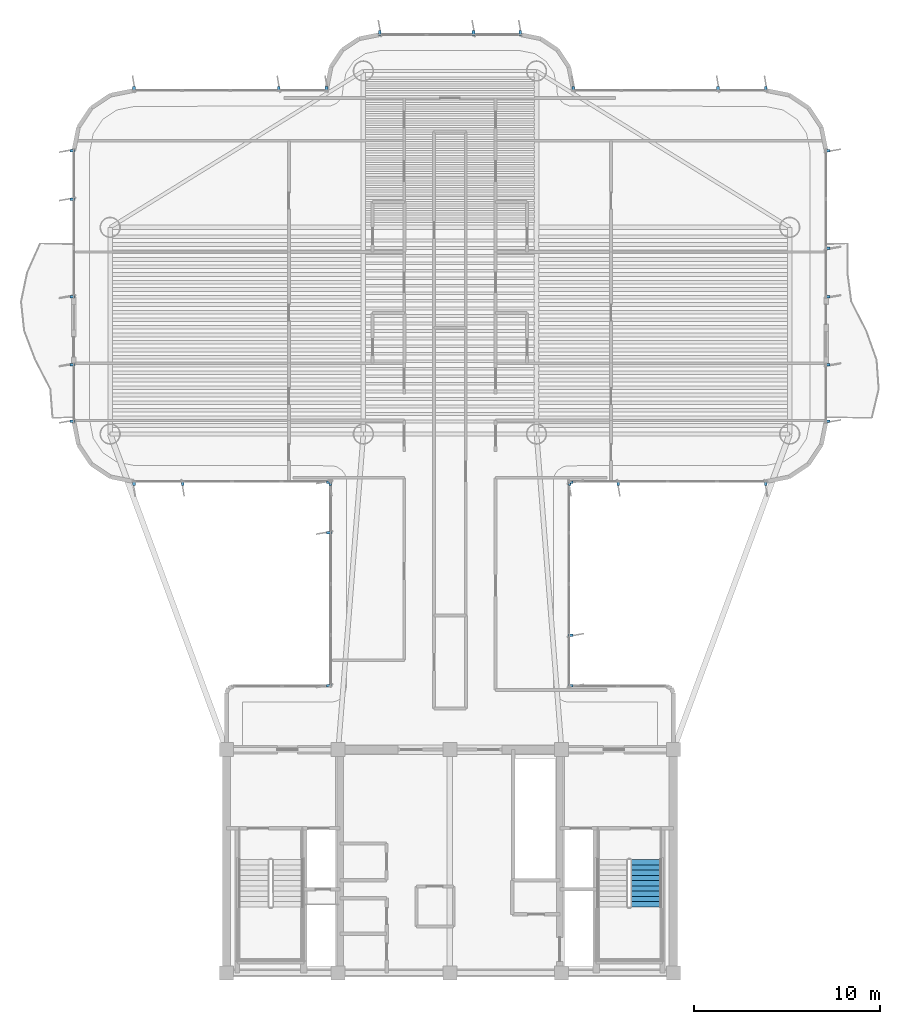
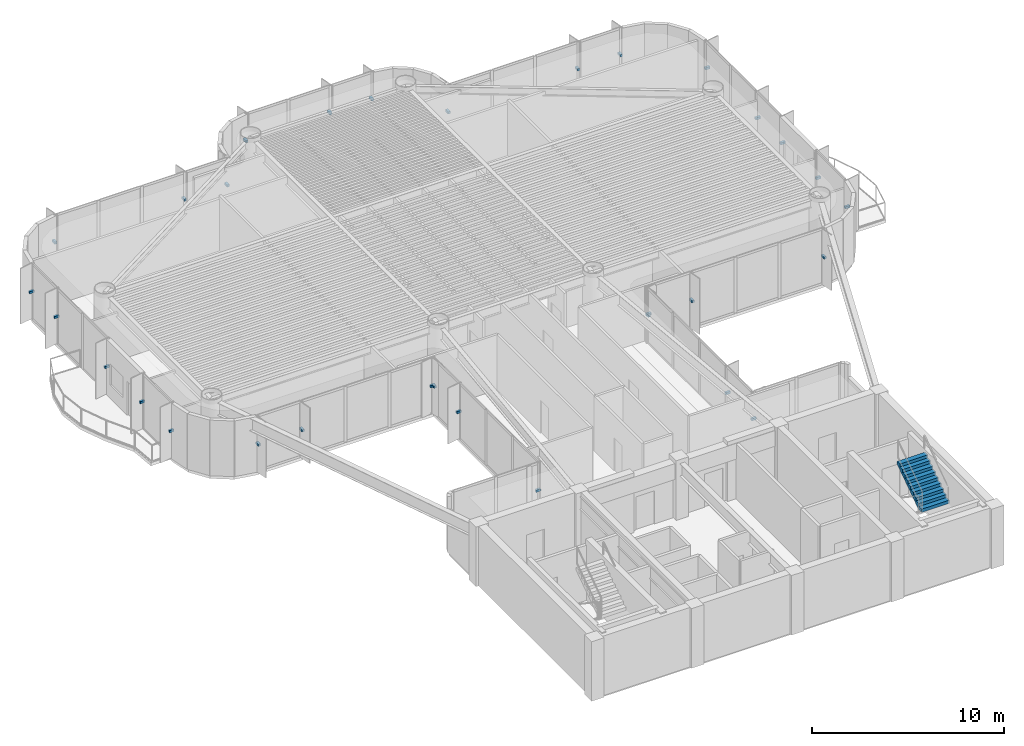
# One storey, part 13 of 15: 31 discrete accessories, 1 stair flight, 1 element without a shape of its own.
"""IFC4 building model written with IfcOpenShell, lengths in metres."""

from ifc_helpers import new_model, si_unit, direction, frame, origin, origin_2d, place, context, subcontext, project, spatial, polyline, rectangle, outline, extrude, source, transform, mapped, material, type_object, element, aggregate, save


model = new_model("IFC4")

# Units and contexts
model_context = context("Model", 3, precision=1e-05, world=origin(), true_north=direction((0.0, 1.0)))
body_context = subcontext(model_context, "Body", "Model", "MODEL_VIEW")
ifc_project = project(units=[si_unit("LENGTHUNIT", "METRE"), si_unit("AREAUNIT", "SQUARE_METRE"), si_unit("VOLUMEUNIT", "CUBIC_METRE"), si_unit("PLANEANGLEUNIT", "RADIAN"), si_unit("MASSUNIT", "GRAM", prefix="KILO")], contexts=[model_context])

# Site, building, storey
site_placement = place(None, origin())
site = spatial("IfcSite", under=ifc_project, at=site_placement, CompositionType="ELEMENT")
building_placement = place(site_placement, origin())
building = spatial("IfcBuilding", under=site, at=building_placement, Name="Brelvock Crest Care Tower", CompositionType="ELEMENT")
storey_placement = place(building_placement, frame((0.0, 0.0, 171.5400390625)))
storey = spatial("IfcBuildingStorey", under=building, at=storey_placement, Name="L43", CompositionType="ELEMENT", Elevation=171.5400390625)

# Stair, stair flight
ifc_material_1 = material(Name="Concrete N40 (40 MPa)", Category="concrete")
stair_type = type_object("IfcStairType", Name="ST-CORE1", PredefinedType="HALF_TURN_STAIR", material=ifc_material_1)
stair_placement = place(storey_placement, origin())
stair = element("IfcStair", 1, at=stair_placement, inside=storey, type_object=stair_type, Name="L43 Fire-Isolated Core Stair ST-2", PredefinedType="HALF_TURN_STAIR")
stair_flight_type = type_object("IfcStairFlightType", Name="STF-1", PredefinedType="STRAIGHT", material=ifc_material_1)
stair_flight_placement = place(storey_placement, frame((46.530029296875, 9.56005859375, 1.889892578125), z_axis=(0.0, 0.0, 1.0), x_axis=(0.0, 1.0, 0.0)))
stair_flight = element("IfcStairFlight", 2, at=stair_flight_placement, type_object=stair_flight_type, Name="ST-2 flight 2", NumberOfRisers=10, NumberOfTreads=9, PredefinedType="STRAIGHT", RiserHeight=0.189, TreadLength=0.28, context=body_context, shape_type="SweptSolid", body=[
    extrude(outline(polyline([(-0.00390625, -0.014892578125), (-0.00390625, -0.0078125), (-0.00390625, -0.00048828125), (-0.00390625, 0.0068359375), (-0.00390625, 0.01416015625), (-0.00390625, 0.021484375), (-0.00390625, 0.02880859375), (-0.00390625, 0.035888671875), (-0.00390625, 0.043212890625), (-0.00390625, 0.050537109375), (-0.00390625, 0.057861328125), (-0.00390625, 0.065185546875), (-0.00390625, 0.072509765625), (-0.00390625, 0.07958984375), (-0.00390625, 0.0869140625), (-0.00390625, 0.09423828125), (-0.00390625, 0.1015625), (-0.00390625, 0.10888671875), (-0.00390625, 0.1162109375), (-0.00390625, 0.12353515625), (-0.00390625, 0.130615234375), (-0.00390625, 0.137939453125), (-0.00390625, 0.145263671875), (-0.00390625, 0.152587890625), (-0.00390625, 0.159912109375), (-0.00390625, 0.167236328125), (-0.00390625, 0.17431640625), (-0.00390625, 0.181640625), (-0.00390625, 0.18896484375), (0.0, 0.18896484375), (0.280029296875, 0.18896484375), (0.280029296875, 0.3779296875), (0.56005859375, 0.3779296875), (0.56005859375, 0.56689453125), (0.840087890625, 0.56689453125), (0.840087890625, 0.756103515625), (1.1201171875, 0.756103515625), (1.1201171875, 0.945068359375), (1.39990234375, 0.945068359375), (1.39990234375, 1.134033203125), (1.679931640625, 1.134033203125), (1.679931640625, 1.322998046875), (1.9599609375, 1.322998046875), (1.9599609375, 1.511962890625), (2.239990234375, 1.511962890625), (2.239990234375, 1.700927734375), (2.52001953125, 1.700927734375), (2.52392578125, 1.700927734375), (2.523681640625, 1.70068359375), (2.52392578125, 1.700439453125), (2.523681640625, 1.699951171875), (2.52392578125, 1.69970703125), (2.523681640625, 1.699462890625), (2.52392578125, 1.698974609375), (2.523681640625, 1.69873046875), (2.52392578125, 1.698486328125), (2.523681640625, 1.697998046875), (2.52392578125, 1.69775390625), (2.523681640625, 1.697509765625), (2.52392578125, 1.697021484375), (2.523681640625, 1.69677734375), (2.52392578125, 1.696533203125), (2.523681640625, 1.6962890625), (2.52392578125, 1.69580078125), (2.523681640625, 1.695556640625), (2.52392578125, 1.6953125), (2.523681640625, 1.69482421875), (2.52392578125, 1.694580078125), (2.523681640625, 1.6943359375), (2.52392578125, 1.69384765625), (2.523681640625, 1.693603515625), (2.52392578125, 1.693359375), (2.523681640625, 1.69287109375), (2.52392578125, 1.692626953125), (2.523681640625, 1.6923828125), (2.52392578125, 1.69189453125), (2.52001953125, 1.520263671875), (0.267822265625, 0.0), (0.0, 0.0), (0.0, -0.014892578125), (-0.00390625, -0.014892578125)])), frame((0.0, 0.83984375, 0.0), z_axis=(0.0, -1.0, 0.0), x_axis=(1.0, 0.0, 0.0)), (0.0, 0.0, 1.0), 1.679931640625),
])
aggregate(stair, [stair_flight])

# Discrete accessories
ifc_material_2 = material(Name="Steel Grade 350", Category="steel")
discrete_accessory_type = type_object("IfcDiscreteAccessoryType", Name="ACC-BRK1", PredefinedType="BRACKET", material=ifc_material_2)
shared_shape = source(origin(), body_context, "Body", "SweptSolid", [
    extrude(rectangle(XDim=0.280029296875, YDim=0.139892578125, at=origin_2d()), origin(), (0.0, 0.0, 1.0), 0.139892578125),
])
for number, where, z_axis, x_axis, name in (
    (3, (29.52001953125, 21.429931640625, 1.69482421875), (0.0, 0.0, 1.0), (-1.0, 0.0, 0.0), "L43 Facade Fin Bracket E11-01"),
    (4, (29.52001953125, 29.64990234375, 1.69482421875), (0.0, 0.0, 1.0), (-1.0, 0.0, 0.0), "L43 Facade Fin Bracket E11-04"),
    (5, (29.52001953125, 32.3701171875, 1.69482421875), (0.0, 0.0, 1.0), (-1.0, 0.0, 0.0), "L43 Facade Fin Bracket E11-05"),
    (6, (29.570068359375, 32.320068359375, 1.69482421875), (0.0, 0.0, 1.0), (0.0, -1.0, 0.0), "L43 Facade Fin Bracket E12-01"),
    (7, (21.64990234375, 32.320068359375, 1.69482421875), (0.0, 0.0, 1.0), (0.0, -1.0, 0.0), "L43 Facade Fin Bracket E12-04"),
    (8, (19.030029296875, 32.320068359375, 1.69482421875), (0.0, 0.0, 1.0), (0.0, -1.0, 0.0), "L43 Facade Fin Bracket E12-05"),
    (9, (15.719970703125, 35.6298828125, 1.69482421875), (0.0, 0.0, 1.0), (-1.0, 0.0, 0.0), "L43 Facade Fin Bracket E17A-01"),
    (10, (15.719970703125, 38.669921875, 1.69482421875), (0.0, 0.0, 1.0), (-1.0, 0.0, 0.0), "L43 Facade Fin Bracket E17A-02"),
    (11, (15.719970703125, 42.330078125, 1.69482421875), (0.0, 0.0, 1.0), (-1.0, 0.0, 0.0), "L43 Facade Fin Bracket E17B-01"),
    (12, (15.719970703125, 47.566650390625, 1.69482421875), (0.0, 0.0, 1.0), (-1.0, 0.0, 0.0), "L43 Facade Fin Bracket E17B-03"),
    (13, (15.719970703125, 50.169921875, 1.69482421875), (0.0, 0.0, 1.0), (-1.0, 0.0, 0.0), "L43 Facade Fin Bracket E17B-04"),
    (14, (19.030029296875, 53.47998046875, 1.69482421875), (0.0, 0.0, 1.0), (0.0, 1.0, 0.0), "L43 Facade Fin Bracket E22-01"),
    (15, (26.800048828125, 53.47998046875, 1.69482421875), (0.0, 0.0, 1.0), (0.0, 1.0, 0.0), "L43 Facade Fin Bracket E22-04"),
    (16, (29.3701171875, 53.47998046875, 1.69482421875), (0.0, 0.0, 1.0), (0.0, 1.0, 0.0), "L43 Facade Fin Bracket E22-05"),
    (17, (32.22998046875, 56.47998046875, 1.69482421875), (0.0, 0.0, 1.0), (0.0, 1.0, 0.0), "L43 Facade Fin Bracket E28-01"),
    (18, (37.2666015625, 56.47998046875, 1.69482421875), (0.0, 0.0, 1.0), (0.0, 1.0, 0.0), "L43 Facade Fin Bracket E28-03"),
    (19, (39.77001953125, 56.47998046875, 1.69482421875), (0.0, 0.0, 1.0), (0.0, 1.0, 0.0), "L43 Facade Fin Bracket E28-04"),
    (20, (42.6298828125, 53.47998046875, 1.69482421875), (0.0, 0.0, 1.0), (0.0, 1.0, 0.0), "L43 Facade Fin Bracket E34-01"),
    (21, (50.39990234375, 53.47998046875, 1.69482421875), (0.0, 0.0, 1.0), (0.0, 1.0, 0.0), "L43 Facade Fin Bracket E34-04"),
    (22, (52.969970703125, 53.47998046875, 1.69482421875), (0.0, 0.0, 1.0), (0.0, 1.0, 0.0), "L43 Facade Fin Bracket E34-05"),
    (23, (56.280029296875, 50.169921875, 1.69482421875), (0.0, 0.0, 1.0), (1.0, 0.0, 0.0), "L43 Facade Fin Bracket E39A-01"),
    (24, (56.280029296875, 44.933349609375, 1.69482421875), (0.0, 0.0, 1.0), (1.0, 0.0, 0.0), "L43 Facade Fin Bracket E39A-03"),
    (25, (56.280029296875, 42.330078125, 1.69482421875), (0.0, 0.0, 1.0), (1.0, 0.0, 0.0), "L43 Facade Fin Bracket E39A-04"),
    (26, (56.280029296875, 38.669921875, 1.69482421875), (0.0, 0.0, 1.0), (1.0, 0.0, 0.0), "L43 Facade Fin Bracket E39B-01"),
    (27, (56.280029296875, 35.6298828125, 1.69482421875), (0.0, 0.0, 1.0), (1.0, 0.0, 0.0), "L43 Facade Fin Bracket E39B-02"),
    (28, (52.969970703125, 32.320068359375, 1.69482421875), (0.0, 0.0, 1.0), (0.0, -1.0, 0.0), "L43 Facade Fin Bracket E44-01"),
    (29, (45.050048828125, 32.320068359375, 1.69482421875), (0.0, 0.0, 1.0), (0.0, -1.0, 0.0), "L43 Facade Fin Bracket E44-04"),
    (30, (42.429931640625, 32.320068359375, 1.69482421875), (0.0, 0.0, 1.0), (0.0, -1.0, 0.0), "L43 Facade Fin Bracket E44-05"),
    (31, (42.47998046875, 32.3701171875, 1.69482421875), (0.0, 0.0, 1.0), (1.0, 0.0, 0.0), "L43 Facade Fin Bracket E45-01"),
    (32, (42.47998046875, 24.14990234375, 1.69482421875), (0.0, 0.0, 1.0), (1.0, 0.0, 0.0), "L43 Facade Fin Bracket E45-04"),
    (33, (42.47998046875, 21.429931640625, 1.69482421875), (0.0, 0.0, 1.0), (1.0, 0.0, 0.0), "L43 Facade Fin Bracket E45-05"),
):
    element("IfcDiscreteAccessory", number, at=place(storey_placement, frame(where, z_axis=z_axis, x_axis=x_axis)), inside=storey, type_object=discrete_accessory_type, Name=name, PredefinedType="BRACKET", context=body_context, shape_type="MappedRepresentation", body=[
        mapped(shared_shape, transform((0.0, 0.0, 0.0), x_axis=(1.0, 0.0, 0.0), y_axis=(0.0, 1.0, 0.0), z_axis=(0.0, 0.0, 1.0), scale=1.0)),
    ])

save(model, "model.ifc")
